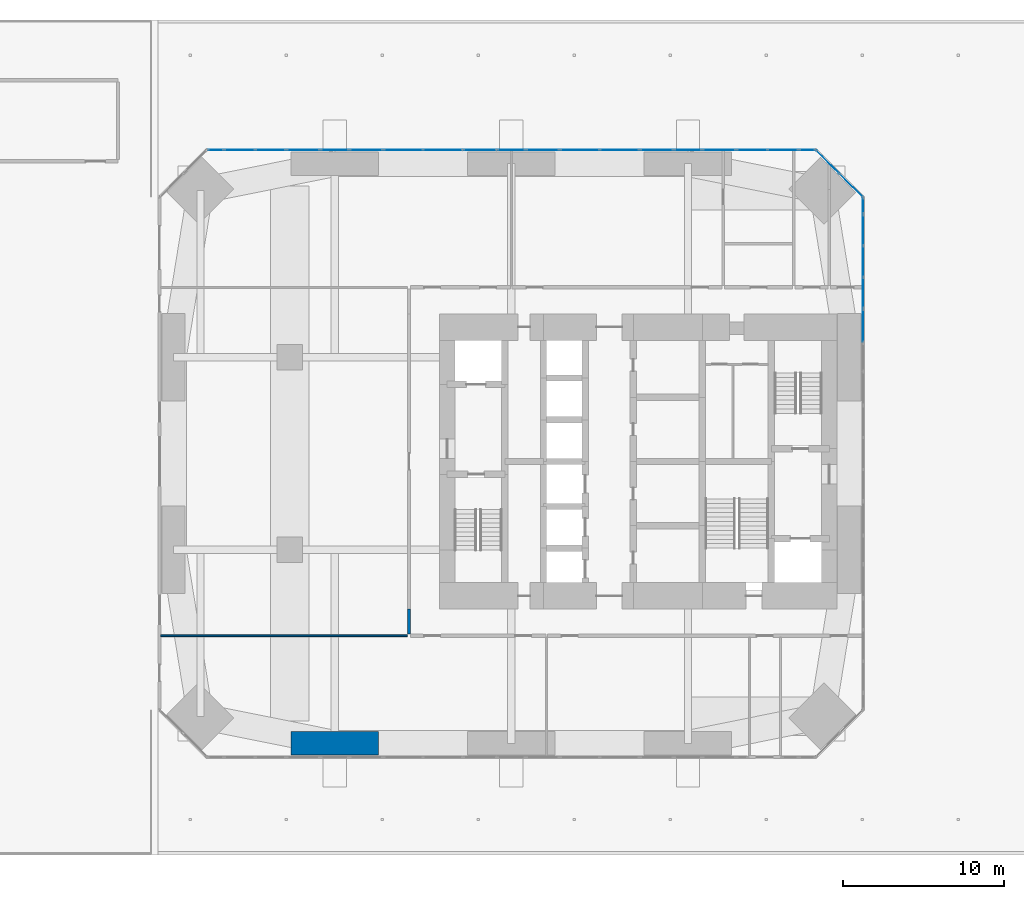
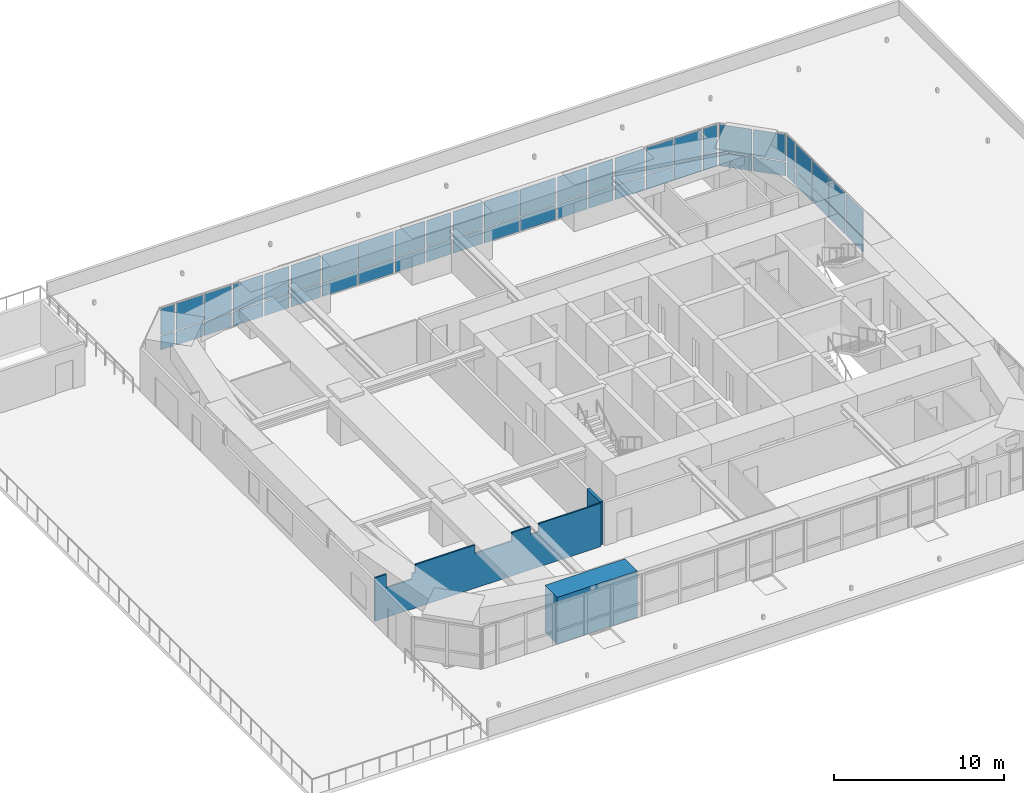
# One storey, part 12 of 20: 52 plates, 3 walls, 19 elements without a shape of their own.
"""IFC4 building model written with IfcOpenShell, lengths in metres."""

from ifc_helpers import new_model, si_unit, direction, frame, frame_2d, origin, origin_2d, place, context, subcontext, project, spatial, polyline, rectangle, outline, extrude, material, layer, layer_set, constituent, constituent_set, type_object, element, aggregate, save


model = new_model("IFC4")

# Units and contexts
model_context = context("Model", 3, precision=1e-05, world=origin(), true_north=direction((0.0, 1.0)))
body_context = subcontext(model_context, "Body", "Model", "MODEL_VIEW")
ifc_project = project(units=[si_unit("LENGTHUNIT", "METRE"), si_unit("AREAUNIT", "SQUARE_METRE"), si_unit("VOLUMEUNIT", "CUBIC_METRE"), si_unit("PLANEANGLEUNIT", "RADIAN"), si_unit("MASSUNIT", "GRAM", prefix="KILO")], contexts=[model_context])

# Site, building, storey
site_placement = place(None, origin())
site = spatial("IfcSite", under=ifc_project, at=site_placement, CompositionType="ELEMENT")
building_placement = place(site_placement, origin())
building = spatial("IfcBuilding", under=site, at=building_placement, Name="Jalousie Tower", CompositionType="ELEMENT")
storey_placement = place(building_placement, frame((0.0, 0.0, 21.0)))
storey = spatial("IfcBuildingStorey", under=building, at=storey_placement, Name="L04", CompositionType="ELEMENT", Elevation=21.0)

# Curtain wall, plates
ifc_material_1 = material(Name="Aluminium curtain wall", Category="aluminium")
curtain_wall_type_1 = type_object("IfcCurtainWallType", Name="AMENITY SPANDREL WALL", PredefinedType="USERDEFINED", material=ifc_material_1)
curtain_wall_1_placement = place(storey_placement, origin())
curtain_wall_1 = element("IfcCurtainWall", 1, at=curtain_wall_1_placement, inside=storey, type_object=curtain_wall_type_1, Name="Amenity Spandrel Wall L04 29", ObjectType="AMENITY SPANDREL WALL", PredefinedType="USERDEFINED")
ifc_material_2 = material(Name="Laminated impact-rated spandrel glass", Category="glass")
ifc_layer_1 = layer(ifc_material_2, 0.031982421875)
ifc_layer_set_1 = layer_set([ifc_layer_1], Name="Laminated impact-rated spandrel glass")
plate_type_1 = type_object("IfcPlateType", Name="AMENITY SPANDREL WALL PANEL", PredefinedType="CURTAIN_PANEL", material=ifc_layer_set_1)
plate_1_placement = place(storey_placement, frame((45.91259765625, 26.954833984375, 0.06494140625), z_axis=(0.0, 0.0, 1.0), x_axis=(0.0, 1.0, 0.0)))
plate_1 = element("IfcPlate", 2, at=plate_1_placement, type_object=plate_type_1, Name="CW-AS panel 1.1", PredefinedType="CURTAIN_PANEL", context=body_context, shape_type="SweptSolid", body=[
    extrude(rectangle(XDim=1.989501953125, YDim=0.031982421875, at=origin_2d()), origin(), (0.0, 0.0, 1.0), 1.00244140625),
])
plate_2_placement = place(storey_placement, frame((45.91259765625, 26.954833984375, 1.132568359375), z_axis=(0.0, 0.0, 1.0), x_axis=(0.0, 1.0, 0.0)))
plate_2 = element("IfcPlate", 3, at=plate_2_placement, type_object=plate_type_1, Name="CW-AS panel 1.2", PredefinedType="CURTAIN_PANEL", context=body_context, shape_type="SweptSolid", body=[
    extrude(rectangle(XDim=1.989501953125, YDim=0.031982421875, at=origin_2d()), origin(), (0.0, 0.0, 1.0), 1.91259765625),
])
aggregate(curtain_wall_1, [plate_1, plate_2])

curtain_wall_2_placement = place(storey_placement, origin())
curtain_wall_2 = element("IfcCurtainWall", 4, at=curtain_wall_2_placement, inside=storey, type_object=curtain_wall_type_1, Name="Amenity Spandrel Wall L04 31", ObjectType="AMENITY SPANDREL WALL", PredefinedType="USERDEFINED")
plate_3_placement = place(storey_placement, frame((45.91259765625, 34.421875, 0.06494140625), z_axis=(0.0, 0.0, 1.0), x_axis=(0.0, 1.0, 0.0)))
plate_3 = element("IfcPlate", 5, at=plate_3_placement, type_object=plate_type_1, Name="CW-AS panel 1.1", PredefinedType="CURTAIN_PANEL", context=body_context, shape_type="SweptSolid", body=[
    extrude(rectangle(XDim=0.923583984375, YDim=0.031982421875, at=origin_2d()), origin(), (0.0, 0.0, 1.0), 1.00244140625),
])
plate_4_placement = place(storey_placement, frame((45.91259765625, 34.421875, 1.132568359375), z_axis=(0.0, 0.0, 1.0), x_axis=(0.0, 1.0, 0.0)))
plate_4 = element("IfcPlate", 6, at=plate_4_placement, type_object=plate_type_1, Name="CW-AS panel 1.2", PredefinedType="CURTAIN_PANEL", context=body_context, shape_type="SweptSolid", body=[
    extrude(rectangle(XDim=0.923583984375, YDim=0.031982421875, at=origin_2d()), origin(), (0.0, 0.0, 1.0), 1.91259765625),
])
aggregate(curtain_wall_2, [plate_3, plate_4])

curtain_wall_3_placement = place(storey_placement, origin())
curtain_wall_3 = element("IfcCurtainWall", 7, at=curtain_wall_3_placement, inside=storey, type_object=curtain_wall_type_1, Name="Amenity Spandrel Wall L04 4", ObjectType="AMENITY SPANDREL WALL", PredefinedType="USERDEFINED")
plate_5_placement = place(storey_placement, frame((45.16015625, 35.701171875, 0.06494140625), z_axis=(0.0, 0.0, 1.0), x_axis=(-0.707106781187, 0.707106781187, 0.0)))
plate_5 = element("IfcPlate", 8, at=plate_5_placement, type_object=plate_type_1, Name="CW-AS panel 1.1", PredefinedType="CURTAIN_PANEL", context=body_context, shape_type="SweptSolid", body=[
    extrude(rectangle(XDim=1.998291015625, YDim=0.031982421875, at=origin_2d()), origin(), (0.0, 0.0, 1.0), 1.00244140625),
])
plate_6_placement = place(storey_placement, frame((45.16015625, 35.701171875, 1.132568359375), z_axis=(0.0, 0.0, 1.0), x_axis=(-0.707106781187, 0.707106781187, 0.0)))
plate_6 = element("IfcPlate", 9, at=plate_6_placement, type_object=plate_type_1, Name="CW-AS panel 1.2", PredefinedType="CURTAIN_PANEL", context=body_context, shape_type="SweptSolid", body=[
    extrude(rectangle(XDim=1.998291015625, YDim=0.031982421875, at=origin_2d()), origin(), (0.0, 0.0, 1.0), 1.91259765625),
])
plate_7_placement = place(storey_placement, frame((43.701171875, 37.16015625, 0.06494140625), z_axis=(0.0, 0.0, 1.0), x_axis=(-0.707106781187, 0.707106781187, 0.0)))
plate_7 = element("IfcPlate", 10, at=plate_7_placement, type_object=plate_type_1, Name="CW-AS panel 2.1", PredefinedType="CURTAIN_PANEL", context=body_context, shape_type="SweptSolid", body=[
    extrude(rectangle(XDim=1.998291015625, YDim=0.031982421875, at=origin_2d()), origin(), (0.0, 0.0, 1.0), 1.00244140625),
])
plate_8_placement = place(storey_placement, frame((43.701171875, 37.16015625, 1.132568359375), z_axis=(0.0, 0.0, 1.0), x_axis=(-0.707106781187, 0.707106781187, 0.0)))
plate_8 = element("IfcPlate", 11, at=plate_8_placement, type_object=plate_type_1, Name="CW-AS panel 2.2", PredefinedType="CURTAIN_PANEL", context=body_context, shape_type="SweptSolid", body=[
    extrude(rectangle(XDim=1.998291015625, YDim=0.031982421875, at=origin_2d()), origin(), (0.0, 0.0, 1.0), 1.91259765625),
])
aggregate(curtain_wall_3, [plate_5, plate_6, plate_7, plate_8])

curtain_wall_4_placement = place(storey_placement, origin())
curtain_wall_4 = element("IfcCurtainWall", 12, at=curtain_wall_4_placement, inside=storey, type_object=curtain_wall_type_1, Name="Amenity Spandrel Wall L04 41", ObjectType="AMENITY SPANDREL WALL", PredefinedType="USERDEFINED")
plate_9_placement = place(storey_placement, frame((42.421875, 37.91259765625, 0.06494140625), z_axis=(0.0, 0.0, 1.0), x_axis=(-1.0, 0.0, 0.0)))
plate_9 = element("IfcPlate", 13, at=plate_9_placement, type_object=plate_type_1, Name="CW-AS panel 1.1", PredefinedType="CURTAIN_PANEL", context=body_context, shape_type="SweptSolid", body=[
    extrude(rectangle(XDim=0.923583984375, YDim=0.031982421875, at=origin_2d()), origin(), (0.0, 0.0, 1.0), 1.00244140625),
])
plate_10_placement = place(storey_placement, frame((42.421875, 37.91259765625, 1.132568359375), z_axis=(0.0, 0.0, 1.0), x_axis=(-1.0, 0.0, 0.0)))
plate_10 = element("IfcPlate", 14, at=plate_10_placement, type_object=plate_type_1, Name="CW-AS panel 1.2", PredefinedType="CURTAIN_PANEL", context=body_context, shape_type="SweptSolid", body=[
    extrude(rectangle(XDim=0.923583984375, YDim=0.031982421875, at=origin_2d()), origin(), (0.0, 0.0, 1.0), 1.91259765625),
])
aggregate(curtain_wall_4, [plate_9, plate_10])

curtain_wall_5_placement = place(storey_placement, origin())
curtain_wall_5 = element("IfcCurtainWall", 15, at=curtain_wall_5_placement, inside=storey, type_object=curtain_wall_type_1, Name="Amenity Spandrel Wall L04 43", ObjectType="AMENITY SPANDREL WALL", PredefinedType="USERDEFINED")
plate_11_placement = place(storey_placement, frame((36.954833984375, 37.91259765625, 0.06494140625), z_axis=(0.0, 0.0, 1.0), x_axis=(-1.0, 0.0, 0.0)))
plate_11 = element("IfcPlate", 16, at=plate_11_placement, type_object=plate_type_1, Name="CW-AS panel 1.1", PredefinedType="CURTAIN_PANEL", context=body_context, shape_type="SweptSolid", body=[
    extrude(rectangle(XDim=1.989501953125, YDim=0.031982421875, at=origin_2d()), origin(), (0.0, 0.0, 1.0), 1.00244140625),
])
plate_12_placement = place(storey_placement, frame((36.954833984375, 37.91259765625, 1.132568359375), z_axis=(0.0, 0.0, 1.0), x_axis=(-1.0, 0.0, 0.0)))
plate_12 = element("IfcPlate", 17, at=plate_12_placement, type_object=plate_type_1, Name="CW-AS panel 1.2", PredefinedType="CURTAIN_PANEL", context=body_context, shape_type="SweptSolid", body=[
    extrude(rectangle(XDim=1.989501953125, YDim=0.031982421875, at=origin_2d()), origin(), (0.0, 0.0, 1.0), 1.91259765625),
])
aggregate(curtain_wall_5, [plate_11, plate_12])

curtain_wall_6_placement = place(storey_placement, origin())
curtain_wall_6 = element("IfcCurtainWall", 18, at=curtain_wall_6_placement, inside=storey, type_object=curtain_wall_type_1, Name="Amenity Spandrel Wall L04 45", ObjectType="AMENITY SPANDREL WALL", PredefinedType="USERDEFINED")
plate_13_placement = place(storey_placement, frame((33.045166015625, 37.91259765625, 0.06494140625), z_axis=(0.0, 0.0, 1.0), x_axis=(-1.0, 0.0, 0.0)))
plate_13 = element("IfcPlate", 19, at=plate_13_placement, type_object=plate_type_1, Name="CW-AS panel 1.1", PredefinedType="CURTAIN_PANEL", context=body_context, shape_type="SweptSolid", body=[
    extrude(rectangle(XDim=1.989501953125, YDim=0.031982421875, at=origin_2d()), origin(), (0.0, 0.0, 1.0), 1.00244140625),
])
plate_14_placement = place(storey_placement, frame((33.045166015625, 37.91259765625, 1.132568359375), z_axis=(0.0, 0.0, 1.0), x_axis=(-1.0, 0.0, 0.0)))
plate_14 = element("IfcPlate", 20, at=plate_14_placement, type_object=plate_type_1, Name="CW-AS panel 1.2", PredefinedType="CURTAIN_PANEL", context=body_context, shape_type="SweptSolid", body=[
    extrude(rectangle(XDim=1.989501953125, YDim=0.031982421875, at=origin_2d()), origin(), (0.0, 0.0, 1.0), 1.91259765625),
])
aggregate(curtain_wall_6, [plate_13, plate_14])

curtain_wall_7_placement = place(storey_placement, origin())
curtain_wall_7 = element("IfcCurtainWall", 21, at=curtain_wall_7_placement, inside=storey, type_object=curtain_wall_type_1, Name="Amenity Spandrel Wall L04 47", ObjectType="AMENITY SPANDREL WALL", PredefinedType="USERDEFINED")
plate_15_placement = place(storey_placement, frame((25.954833984375, 37.91259765625, 0.06494140625), z_axis=(0.0, 0.0, 1.0), x_axis=(-1.0, 0.0, 0.0)))
plate_15 = element("IfcPlate", 22, at=plate_15_placement, type_object=plate_type_1, Name="CW-AS panel 1.1", PredefinedType="CURTAIN_PANEL", context=body_context, shape_type="SweptSolid", body=[
    extrude(rectangle(XDim=1.989501953125, YDim=0.031982421875, at=origin_2d()), origin(), (0.0, 0.0, 1.0), 1.00244140625),
])
plate_16_placement = place(storey_placement, frame((25.954833984375, 37.91259765625, 1.132568359375), z_axis=(0.0, 0.0, 1.0), x_axis=(-1.0, 0.0, 0.0)))
plate_16 = element("IfcPlate", 23, at=plate_16_placement, type_object=plate_type_1, Name="CW-AS panel 1.2", PredefinedType="CURTAIN_PANEL", context=body_context, shape_type="SweptSolid", body=[
    extrude(rectangle(XDim=1.989501953125, YDim=0.031982421875, at=origin_2d()), origin(), (0.0, 0.0, 1.0), 1.91259765625),
])
aggregate(curtain_wall_7, [plate_15, plate_16])

curtain_wall_8_placement = place(storey_placement, origin())
curtain_wall_8 = element("IfcCurtainWall", 24, at=curtain_wall_8_placement, inside=storey, type_object=curtain_wall_type_1, Name="Amenity Spandrel Wall L04 49", ObjectType="AMENITY SPANDREL WALL", PredefinedType="USERDEFINED")
plate_17_placement = place(storey_placement, frame((22.045166015625, 37.91259765625, 0.06494140625), z_axis=(0.0, 0.0, 1.0), x_axis=(-1.0, 0.0, 0.0)))
plate_17 = element("IfcPlate", 25, at=plate_17_placement, type_object=plate_type_1, Name="CW-AS panel 1.1", PredefinedType="CURTAIN_PANEL", context=body_context, shape_type="SweptSolid", body=[
    extrude(rectangle(XDim=1.989501953125, YDim=0.031982421875, at=origin_2d()), origin(), (0.0, 0.0, 1.0), 1.00244140625),
])
plate_18_placement = place(storey_placement, frame((22.045166015625, 37.91259765625, 1.132568359375), z_axis=(0.0, 0.0, 1.0), x_axis=(-1.0, 0.0, 0.0)))
plate_18 = element("IfcPlate", 26, at=plate_18_placement, type_object=plate_type_1, Name="CW-AS panel 1.2", PredefinedType="CURTAIN_PANEL", context=body_context, shape_type="SweptSolid", body=[
    extrude(rectangle(XDim=1.989501953125, YDim=0.031982421875, at=origin_2d()), origin(), (0.0, 0.0, 1.0), 1.91259765625),
])
aggregate(curtain_wall_8, [plate_17, plate_18])

curtain_wall_9_placement = place(storey_placement, origin())
curtain_wall_9 = element("IfcCurtainWall", 27, at=curtain_wall_9_placement, inside=storey, type_object=curtain_wall_type_1, Name="Amenity Spandrel Wall L04 51", ObjectType="AMENITY SPANDREL WALL", PredefinedType="USERDEFINED")
plate_19_placement = place(storey_placement, frame((14.954833984375, 37.91259765625, 0.06494140625), z_axis=(0.0, 0.0, 1.0), x_axis=(-1.0, 0.0, 0.0)))
plate_19 = element("IfcPlate", 28, at=plate_19_placement, type_object=plate_type_1, Name="CW-AS panel 1.1", PredefinedType="CURTAIN_PANEL", context=body_context, shape_type="SweptSolid", body=[
    extrude(rectangle(XDim=1.989501953125, YDim=0.031982421875, at=origin_2d()), origin(), (0.0, 0.0, 1.0), 1.00244140625),
])
plate_20_placement = place(storey_placement, frame((14.954833984375, 37.91259765625, 1.132568359375), z_axis=(0.0, 0.0, 1.0), x_axis=(-1.0, 0.0, 0.0)))
plate_20 = element("IfcPlate", 29, at=plate_20_placement, type_object=plate_type_1, Name="CW-AS panel 1.2", PredefinedType="CURTAIN_PANEL", context=body_context, shape_type="SweptSolid", body=[
    extrude(rectangle(XDim=1.989501953125, YDim=0.031982421875, at=origin_2d()), origin(), (0.0, 0.0, 1.0), 1.91259765625),
])
aggregate(curtain_wall_9, [plate_19, plate_20])

curtain_wall_10_placement = place(storey_placement, origin())
curtain_wall_10 = element("IfcCurtainWall", 30, at=curtain_wall_10_placement, inside=storey, type_object=curtain_wall_type_1, Name="Amenity Spandrel Wall L04 53", ObjectType="AMENITY SPANDREL WALL", PredefinedType="USERDEFINED")
plate_21_placement = place(storey_placement, frame((11.045166015625, 37.91259765625, 0.06494140625), z_axis=(0.0, 0.0, 1.0), x_axis=(-1.0, 0.0, 0.0)))
plate_21 = element("IfcPlate", 31, at=plate_21_placement, type_object=plate_type_1, Name="CW-AS panel 1.1", PredefinedType="CURTAIN_PANEL", context=body_context, shape_type="SweptSolid", body=[
    extrude(rectangle(XDim=1.989501953125, YDim=0.031982421875, at=origin_2d()), origin(), (0.0, 0.0, 1.0), 1.00244140625),
])
plate_22_placement = place(storey_placement, frame((11.045166015625, 37.91259765625, 1.132568359375), z_axis=(0.0, 0.0, 1.0), x_axis=(-1.0, 0.0, 0.0)))
plate_22 = element("IfcPlate", 32, at=plate_22_placement, type_object=plate_type_1, Name="CW-AS panel 1.2", PredefinedType="CURTAIN_PANEL", context=body_context, shape_type="SweptSolid", body=[
    extrude(rectangle(XDim=1.989501953125, YDim=0.031982421875, at=origin_2d()), origin(), (0.0, 0.0, 1.0), 1.91259765625),
])
aggregate(curtain_wall_10, [plate_21, plate_22])

curtain_wall_11_placement = place(storey_placement, origin())
curtain_wall_11 = element("IfcCurtainWall", 33, at=curtain_wall_11_placement, inside=storey, type_object=curtain_wall_type_1, Name="Amenity Spandrel Wall L04 55", ObjectType="AMENITY SPANDREL WALL", PredefinedType="USERDEFINED")
plate_23_placement = place(storey_placement, frame((5.578125, 37.91259765625, 0.06494140625), z_axis=(0.0, 0.0, 1.0), x_axis=(-1.0, 0.0, 0.0)))
plate_23 = element("IfcPlate", 34, at=plate_23_placement, type_object=plate_type_1, Name="CW-AS panel 1.1", PredefinedType="CURTAIN_PANEL", context=body_context, shape_type="SweptSolid", body=[
    extrude(rectangle(XDim=0.923583984375, YDim=0.031982421875, at=origin_2d()), origin(), (0.0, 0.0, 1.0), 1.00244140625),
])
plate_24_placement = place(storey_placement, frame((5.578125, 37.91259765625, 1.132568359375), z_axis=(0.0, 0.0, 1.0), x_axis=(-1.0, 0.0, 0.0)))
plate_24 = element("IfcPlate", 35, at=plate_24_placement, type_object=plate_type_1, Name="CW-AS panel 1.2", PredefinedType="CURTAIN_PANEL", context=body_context, shape_type="SweptSolid", body=[
    extrude(rectangle(XDim=0.923583984375, YDim=0.031982421875, at=origin_2d()), origin(), (0.0, 0.0, 1.0), 1.91259765625),
])
aggregate(curtain_wall_11, [plate_23, plate_24])

ifc_material_3 = material(Name="Aluminium curtain wall", Category="aluminium")
curtain_wall_type_2 = type_object("IfcCurtainWallType", Name="AMENITY WINDOW WALL", PredefinedType="USERDEFINED", material=ifc_material_3)
curtain_wall_12_placement = place(storey_placement, origin())
curtain_wall_12 = element("IfcCurtainWall", 36, at=curtain_wall_12_placement, inside=storey, type_object=curtain_wall_type_2, Name="Amenity Window Wall L04 30", ObjectType="AMENITY WINDOW WALL", PredefinedType="USERDEFINED")
ifc_material_4 = material(Name="Laminated impact-rated glass", Category="glass")
ifc_layer_2 = layer(ifc_material_4, 0.031982421875)
ifc_layer_set_2 = layer_set([ifc_layer_2], Name="Laminated impact-rated glass")
plate_type_2 = type_object("IfcPlateType", Name="AMENITY WINDOW WALL PANEL", PredefinedType="CURTAIN_PANEL", material=ifc_layer_set_2)
plate_25_placement = place(storey_placement, frame((45.91259765625, 29.0107421875, 0.06494140625), z_axis=(0.0, 0.0, 1.0), x_axis=(0.0, 1.0, 0.0)))
plate_25 = element("IfcPlate", 37, at=plate_25_placement, type_object=plate_type_2, Name="CW-A panel 1.1", PredefinedType="CURTAIN_PANEL", context=body_context, shape_type="SweptSolid", body=[
    extrude(rectangle(XDim=1.86279296875, YDim=0.031982421875, at=origin_2d()), origin(), (0.0, 0.0, 1.0), 1.00244140625),
])
plate_26_placement = place(storey_placement, frame((45.91259765625, 29.0107421875, 1.132568359375), z_axis=(0.0, 0.0, 1.0), x_axis=(0.0, 1.0, 0.0)))
plate_26 = element("IfcPlate", 38, at=plate_26_placement, type_object=plate_type_2, Name="CW-A panel 1.2", PredefinedType="CURTAIN_PANEL", context=body_context, shape_type="SweptSolid", body=[
    extrude(rectangle(XDim=1.86279296875, YDim=0.031982421875, at=origin_2d()), origin(), (0.0, 0.0, 1.0), 1.91259765625),
])
plate_27_placement = place(storey_placement, frame((45.91259765625, 30.954833984375, 0.06494140625), z_axis=(0.0, 0.0, 1.0), x_axis=(0.0, 1.0, 0.0)))
plate_27 = element("IfcPlate", 39, at=plate_27_placement, type_object=plate_type_2, Name="CW-A panel 2.1", PredefinedType="CURTAIN_PANEL", context=body_context, shape_type="SweptSolid", body=[
    extrude(rectangle(XDim=1.895263671875, YDim=0.031982421875, at=origin_2d()), origin(), (0.0, 0.0, 1.0), 1.00244140625),
])
plate_28_placement = place(storey_placement, frame((45.91259765625, 30.954833984375, 1.132568359375), z_axis=(0.0, 0.0, 1.0), x_axis=(0.0, 1.0, 0.0)))
plate_28 = element("IfcPlate", 40, at=plate_28_placement, type_object=plate_type_2, Name="CW-A panel 2.2", PredefinedType="CURTAIN_PANEL", context=body_context, shape_type="SweptSolid", body=[
    extrude(rectangle(XDim=1.895263671875, YDim=0.031982421875, at=origin_2d()), origin(), (0.0, 0.0, 1.0), 1.91259765625),
])
plate_29_placement = place(storey_placement, frame((45.91259765625, 32.898681640625, 0.06494140625), z_axis=(0.0, 0.0, 1.0), x_axis=(0.0, 1.0, 0.0)))
plate_29 = element("IfcPlate", 41, at=plate_29_placement, type_object=plate_type_2, Name="CW-A panel 3.1", PredefinedType="CURTAIN_PANEL", context=body_context, shape_type="SweptSolid", body=[
    extrude(rectangle(XDim=1.86279296875, YDim=0.031982421875, at=origin_2d()), origin(), (0.0, 0.0, 1.0), 1.00244140625),
])
plate_30_placement = place(storey_placement, frame((45.91259765625, 32.898681640625, 1.132568359375), z_axis=(0.0, 0.0, 1.0), x_axis=(0.0, 1.0, 0.0)))
plate_30 = element("IfcPlate", 42, at=plate_30_placement, type_object=plate_type_2, Name="CW-A panel 3.2", PredefinedType="CURTAIN_PANEL", context=body_context, shape_type="SweptSolid", body=[
    extrude(rectangle(XDim=1.86279296875, YDim=0.031982421875, at=origin_2d()), origin(), (0.0, 0.0, 1.0), 1.91259765625),
])
aggregate(curtain_wall_12, [plate_25, plate_26, plate_27, plate_28, plate_29, plate_30])

curtain_wall_13_placement = place(storey_placement, origin())
curtain_wall_13 = element("IfcCurtainWall", 43, at=curtain_wall_13_placement, inside=storey, type_object=curtain_wall_type_2, Name="Amenity Window Wall L04 42", ObjectType="AMENITY WINDOW WALL", PredefinedType="USERDEFINED")
plate_31_placement = place(storey_placement, frame((40.90869140625, 37.91259765625, 0.06494140625), z_axis=(0.0, 0.0, 1.0), x_axis=(-1.0, 0.0, 0.0)))
plate_31 = element("IfcPlate", 44, at=plate_31_placement, type_object=plate_type_2, Name="CW-A panel 1.1", PredefinedType="CURTAIN_PANEL", context=body_context, shape_type="SweptSolid", body=[
    extrude(rectangle(XDim=1.8427734375, YDim=0.031982421875, at=origin_2d()), origin(), (0.0, 0.0, 1.0), 1.00244140625),
])
plate_32_placement = place(storey_placement, frame((40.90869140625, 37.91259765625, 1.132568359375), z_axis=(0.0, 0.0, 1.0), x_axis=(-1.0, 0.0, 0.0)))
plate_32 = element("IfcPlate", 45, at=plate_32_placement, type_object=plate_type_2, Name="CW-A panel 1.2", PredefinedType="CURTAIN_PANEL", context=body_context, shape_type="SweptSolid", body=[
    extrude(rectangle(XDim=1.8427734375, YDim=0.031982421875, at=origin_2d()), origin(), (0.0, 0.0, 1.0), 1.91259765625),
])
plate_33_placement = place(storey_placement, frame((39.0009765625, 37.91259765625, 0.06494140625), z_axis=(0.0, 0.0, 1.0), x_axis=(-1.0, 0.0, 0.0)))
plate_33 = element("IfcPlate", 46, at=plate_33_placement, type_object=plate_type_2, Name="CW-A panel 2.1", PredefinedType="CURTAIN_PANEL", context=body_context, shape_type="SweptSolid", body=[
    extrude(rectangle(XDim=1.8427734375, YDim=0.031982421875, at=origin_2d()), origin(), (0.0, 0.0, 1.0), 1.00244140625),
])
plate_34_placement = place(storey_placement, frame((39.0009765625, 37.91259765625, 1.132568359375), z_axis=(0.0, 0.0, 1.0), x_axis=(-1.0, 0.0, 0.0)))
plate_34 = element("IfcPlate", 47, at=plate_34_placement, type_object=plate_type_2, Name="CW-A panel 2.2", PredefinedType="CURTAIN_PANEL", context=body_context, shape_type="SweptSolid", body=[
    extrude(rectangle(XDim=1.8427734375, YDim=0.031982421875, at=origin_2d()), origin(), (0.0, 0.0, 1.0), 1.91259765625),
])
aggregate(curtain_wall_13, [plate_31, plate_32, plate_33, plate_34])

curtain_wall_14_placement = place(storey_placement, origin())
curtain_wall_14 = element("IfcCurtainWall", 48, at=curtain_wall_14_placement, inside=storey, type_object=curtain_wall_type_2, Name="Amenity Window Wall L04 44", ObjectType="AMENITY WINDOW WALL", PredefinedType="USERDEFINED")
plate_35_placement = place(storey_placement, frame((35.0, 37.91259765625, 0.06494140625), z_axis=(0.0, 0.0, 1.0), x_axis=(-1.0, 0.0, 0.0)))
plate_35 = element("IfcPlate", 49, at=plate_35_placement, type_object=plate_type_2, Name="CW-A panel 1.1", PredefinedType="CURTAIN_PANEL", context=body_context, shape_type="SweptSolid", body=[
    extrude(rectangle(XDim=1.66015625, YDim=0.031982421875, at=origin_2d()), origin(), (0.0, 0.0, 1.0), 1.00244140625),
])
plate_36_placement = place(storey_placement, frame((35.0, 37.91259765625, 1.132568359375), z_axis=(0.0, 0.0, 1.0), x_axis=(-1.0, 0.0, 0.0)))
plate_36 = element("IfcPlate", 50, at=plate_36_placement, type_object=plate_type_2, Name="CW-A panel 1.2", PredefinedType="CURTAIN_PANEL", context=body_context, shape_type="SweptSolid", body=[
    extrude(rectangle(XDim=1.66015625, YDim=0.031982421875, at=origin_2d()), origin(), (0.0, 0.0, 1.0), 1.91259765625),
])
aggregate(curtain_wall_14, [plate_35, plate_36])

curtain_wall_15_placement = place(storey_placement, origin())
curtain_wall_15 = element("IfcCurtainWall", 51, at=curtain_wall_15_placement, inside=storey, type_object=curtain_wall_type_2, Name="Amenity Window Wall L04 46", ObjectType="AMENITY WINDOW WALL", PredefinedType="USERDEFINED")
plate_37_placement = place(storey_placement, frame((30.7265625, 37.91259765625, 0.06494140625), z_axis=(0.0, 0.0, 1.0), x_axis=(-1.0, 0.0, 0.0)))
plate_37 = element("IfcPlate", 52, at=plate_37_placement, type_object=plate_type_2, Name="CW-A panel 1.1", PredefinedType="CURTAIN_PANEL", context=body_context, shape_type="SweptSolid", body=[
    extrude(rectangle(XDim=2.387939453125, YDim=0.031982421875, at=origin_2d()), origin(), (0.0, 0.0, 1.0), 1.00244140625),
])
plate_38_placement = place(storey_placement, frame((30.7265625, 37.91259765625, 1.132568359375), z_axis=(0.0, 0.0, 1.0), x_axis=(-1.0, 0.0, 0.0)))
plate_38 = element("IfcPlate", 53, at=plate_38_placement, type_object=plate_type_2, Name="CW-A panel 1.2", PredefinedType="CURTAIN_PANEL", context=body_context, shape_type="SweptSolid", body=[
    extrude(rectangle(XDim=2.387939453125, YDim=0.031982421875, at=origin_2d()), origin(), (0.0, 0.0, 1.0), 1.91259765625),
])
plate_39_placement = place(storey_placement, frame((28.2734375, 37.91259765625, 0.06494140625), z_axis=(0.0, 0.0, 1.0), x_axis=(-1.0, 0.0, 0.0)))
plate_39 = element("IfcPlate", 54, at=plate_39_placement, type_object=plate_type_2, Name="CW-A panel 2.1", PredefinedType="CURTAIN_PANEL", context=body_context, shape_type="SweptSolid", body=[
    extrude(rectangle(XDim=2.387939453125, YDim=0.031982421875, at=origin_2d()), origin(), (0.0, 0.0, 1.0), 1.00244140625),
])
plate_40_placement = place(storey_placement, frame((28.2734375, 37.91259765625, 1.132568359375), z_axis=(0.0, 0.0, 1.0), x_axis=(-1.0, 0.0, 0.0)))
plate_40 = element("IfcPlate", 55, at=plate_40_placement, type_object=plate_type_2, Name="CW-A panel 2.2", PredefinedType="CURTAIN_PANEL", context=body_context, shape_type="SweptSolid", body=[
    extrude(rectangle(XDim=2.387939453125, YDim=0.031982421875, at=origin_2d()), origin(), (0.0, 0.0, 1.0), 1.91259765625),
])
aggregate(curtain_wall_15, [plate_37, plate_38, plate_39, plate_40])

curtain_wall_16_placement = place(storey_placement, origin())
curtain_wall_16 = element("IfcCurtainWall", 56, at=curtain_wall_16_placement, inside=storey, type_object=curtain_wall_type_2, Name="Amenity Window Wall L04 48", ObjectType="AMENITY WINDOW WALL", PredefinedType="USERDEFINED")
plate_41_placement = place(storey_placement, frame((24.0, 37.91259765625, 0.06494140625), z_axis=(0.0, 0.0, 1.0), x_axis=(-1.0, 0.0, 0.0)))
plate_41 = element("IfcPlate", 57, at=plate_41_placement, type_object=plate_type_2, Name="CW-A panel 1.1", PredefinedType="CURTAIN_PANEL", context=body_context, shape_type="SweptSolid", body=[
    extrude(rectangle(XDim=1.66015625, YDim=0.031982421875, at=origin_2d()), origin(), (0.0, 0.0, 1.0), 1.00244140625),
])
plate_42_placement = place(storey_placement, frame((24.0, 37.91259765625, 1.132568359375), z_axis=(0.0, 0.0, 1.0), x_axis=(-1.0, 0.0, 0.0)))
plate_42 = element("IfcPlate", 58, at=plate_42_placement, type_object=plate_type_2, Name="CW-A panel 1.2", PredefinedType="CURTAIN_PANEL", context=body_context, shape_type="SweptSolid", body=[
    extrude(rectangle(XDim=1.66015625, YDim=0.031982421875, at=origin_2d()), origin(), (0.0, 0.0, 1.0), 1.91259765625),
])
aggregate(curtain_wall_16, [plate_41, plate_42])

curtain_wall_17_placement = place(storey_placement, origin())
curtain_wall_17 = element("IfcCurtainWall", 59, at=curtain_wall_17_placement, inside=storey, type_object=curtain_wall_type_2, Name="Amenity Window Wall L04 50", ObjectType="AMENITY WINDOW WALL", PredefinedType="USERDEFINED")
plate_43_placement = place(storey_placement, frame((19.7265625, 37.91259765625, 0.06494140625), z_axis=(0.0, 0.0, 1.0), x_axis=(-1.0, 0.0, 0.0)))
plate_43 = element("IfcPlate", 60, at=plate_43_placement, type_object=plate_type_2, Name="CW-A panel 1.1", PredefinedType="CURTAIN_PANEL", context=body_context, shape_type="SweptSolid", body=[
    extrude(rectangle(XDim=2.387939453125, YDim=0.031982421875, at=origin_2d()), origin(), (0.0, 0.0, 1.0), 1.00244140625),
])
plate_44_placement = place(storey_placement, frame((19.7265625, 37.91259765625, 1.132568359375), z_axis=(0.0, 0.0, 1.0), x_axis=(-1.0, 0.0, 0.0)))
plate_44 = element("IfcPlate", 61, at=plate_44_placement, type_object=plate_type_2, Name="CW-A panel 1.2", PredefinedType="CURTAIN_PANEL", context=body_context, shape_type="SweptSolid", body=[
    extrude(rectangle(XDim=2.387939453125, YDim=0.031982421875, at=origin_2d()), origin(), (0.0, 0.0, 1.0), 1.91259765625),
])
plate_45_placement = place(storey_placement, frame((17.2734375, 37.91259765625, 0.06494140625), z_axis=(0.0, 0.0, 1.0), x_axis=(-1.0, 0.0, 0.0)))
plate_45 = element("IfcPlate", 62, at=plate_45_placement, type_object=plate_type_2, Name="CW-A panel 2.1", PredefinedType="CURTAIN_PANEL", context=body_context, shape_type="SweptSolid", body=[
    extrude(rectangle(XDim=2.387939453125, YDim=0.031982421875, at=origin_2d()), origin(), (0.0, 0.0, 1.0), 1.00244140625),
])
plate_46_placement = place(storey_placement, frame((17.2734375, 37.91259765625, 1.132568359375), z_axis=(0.0, 0.0, 1.0), x_axis=(-1.0, 0.0, 0.0)))
plate_46 = element("IfcPlate", 63, at=plate_46_placement, type_object=plate_type_2, Name="CW-A panel 2.2", PredefinedType="CURTAIN_PANEL", context=body_context, shape_type="SweptSolid", body=[
    extrude(rectangle(XDim=2.387939453125, YDim=0.031982421875, at=origin_2d()), origin(), (0.0, 0.0, 1.0), 1.91259765625),
])
aggregate(curtain_wall_17, [plate_43, plate_44, plate_45, plate_46])

curtain_wall_18_placement = place(storey_placement, origin())
curtain_wall_18 = element("IfcCurtainWall", 64, at=curtain_wall_18_placement, inside=storey, type_object=curtain_wall_type_2, Name="Amenity Window Wall L04 52", ObjectType="AMENITY WINDOW WALL", PredefinedType="USERDEFINED")
plate_47_placement = place(storey_placement, frame((13.0, 37.91259765625, 0.06494140625), z_axis=(0.0, 0.0, 1.0), x_axis=(-1.0, 0.0, 0.0)))
plate_47 = element("IfcPlate", 65, at=plate_47_placement, type_object=plate_type_2, Name="CW-A panel 1.1", PredefinedType="CURTAIN_PANEL", context=body_context, shape_type="SweptSolid", body=[
    extrude(rectangle(XDim=1.66015625, YDim=0.031982421875, at=origin_2d()), origin(), (0.0, 0.0, 1.0), 1.00244140625),
])
plate_48_placement = place(storey_placement, frame((13.0, 37.91259765625, 1.132568359375), z_axis=(0.0, 0.0, 1.0), x_axis=(-1.0, 0.0, 0.0)))
plate_48 = element("IfcPlate", 66, at=plate_48_placement, type_object=plate_type_2, Name="CW-A panel 1.2", PredefinedType="CURTAIN_PANEL", context=body_context, shape_type="SweptSolid", body=[
    extrude(rectangle(XDim=1.66015625, YDim=0.031982421875, at=origin_2d()), origin(), (0.0, 0.0, 1.0), 1.91259765625),
])
aggregate(curtain_wall_18, [plate_47, plate_48])

curtain_wall_19_placement = place(storey_placement, origin())
curtain_wall_19 = element("IfcCurtainWall", 67, at=curtain_wall_19_placement, inside=storey, type_object=curtain_wall_type_2, Name="Amenity Window Wall L04 54", ObjectType="AMENITY WINDOW WALL", PredefinedType="USERDEFINED")
plate_49_placement = place(storey_placement, frame((8.9990234375, 37.91259765625, 0.06494140625), z_axis=(0.0, 0.0, 1.0), x_axis=(-1.0, 0.0, 0.0)))
plate_49 = element("IfcPlate", 68, at=plate_49_placement, type_object=plate_type_2, Name="CW-A panel 1.1", PredefinedType="CURTAIN_PANEL", context=body_context, shape_type="SweptSolid", body=[
    extrude(rectangle(XDim=1.8427734375, YDim=0.031982421875, at=origin_2d()), origin(), (0.0, 0.0, 1.0), 1.00244140625),
])
plate_50_placement = place(storey_placement, frame((8.9990234375, 37.91259765625, 1.132568359375), z_axis=(0.0, 0.0, 1.0), x_axis=(-1.0, 0.0, 0.0)))
plate_50 = element("IfcPlate", 69, at=plate_50_placement, type_object=plate_type_2, Name="CW-A panel 1.2", PredefinedType="CURTAIN_PANEL", context=body_context, shape_type="SweptSolid", body=[
    extrude(rectangle(XDim=1.8427734375, YDim=0.031982421875, at=origin_2d()), origin(), (0.0, 0.0, 1.0), 1.91259765625),
])
plate_51_placement = place(storey_placement, frame((7.09130859375, 37.91259765625, 0.06494140625), z_axis=(0.0, 0.0, 1.0), x_axis=(-1.0, 0.0, 0.0)))
plate_51 = element("IfcPlate", 70, at=plate_51_placement, type_object=plate_type_2, Name="CW-A panel 2.1", PredefinedType="CURTAIN_PANEL", context=body_context, shape_type="SweptSolid", body=[
    extrude(rectangle(XDim=1.8427734375, YDim=0.031982421875, at=origin_2d()), origin(), (0.0, 0.0, 1.0), 1.00244140625),
])
plate_52_placement = place(storey_placement, frame((7.09130859375, 37.91259765625, 1.132568359375), z_axis=(0.0, 0.0, 1.0), x_axis=(-1.0, 0.0, 0.0)))
plate_52 = element("IfcPlate", 71, at=plate_52_placement, type_object=plate_type_2, Name="CW-A panel 2.2", PredefinedType="CURTAIN_PANEL", context=body_context, shape_type="SweptSolid", body=[
    extrude(rectangle(XDim=1.8427734375, YDim=0.031982421875, at=origin_2d()), origin(), (0.0, 0.0, 1.0), 1.91259765625),
])
aggregate(curtain_wall_19, [plate_49, plate_50, plate_51, plate_52])

# Walls
ifc_material_5 = material(Name="Concrete block ASTM C90", Category="concrete")
ifc_constituent_1 = constituent(ifc_material_5, Name="Body")
ifc_material_6 = material(Name="Render")
ifc_constituent_2 = constituent(ifc_material_6, Name="Finish")
ifc_constituent_set_1 = constituent_set(constituents=[ifc_constituent_1, ifc_constituent_2])
wall_type_1 = type_object("IfcWallType", Name="CORRIDOR WALL 200", PredefinedType="PARTITIONING", material=ifc_constituent_set_1)
wall_1_placement = place(storey_placement, frame((17.625, 7.75, 0.0), z_axis=(0.0, 0.0, 1.0), x_axis=(0.0, 1.0, 0.0)))
element("IfcWall", 72, at=wall_1_placement, inside=storey, type_object=wall_type_1, Name="Corridor Wall 200 L04", PredefinedType="PARTITIONING", context=body_context, shape_type="SweptSolid", body=[
    extrude(rectangle(XDim=1.550048828125, YDim=0.199951171875, at=frame_2d((0.77490234375, 0.0))), origin(), (0.0, 0.0, 1.0), 3.110107421875),
])
ifc_material_7 = material(Name="Gypsum board", Category="gypsum")
ifc_constituent_3 = constituent(ifc_material_7, Name="Body")
ifc_material_8 = material(Name="Light-gauge steel studs ASTM A653 SS Grade 33", Category="steel")
ifc_constituent_4 = constituent(ifc_material_8, Name="Framing")
ifc_constituent_set_2 = constituent_set(constituents=[ifc_constituent_3, ifc_constituent_4])
wall_type_2 = type_object("IfcWallType", Name="PARTITION 100", PredefinedType="PARTITIONING", material=ifc_constituent_set_2)
wall_2_placement = place(storey_placement, frame((2.14990234375, 7.64990234375, 0.0), z_axis=(0.0, 0.0, 1.0), x_axis=(1.0, 0.0, 0.0)))
element("IfcWall", 73, at=wall_2_placement, inside=storey, type_object=wall_type_2, Name="Partition 100 L04", PredefinedType="PARTITIONING", context=body_context, shape_type="SweptSolid", body=[
    extrude(outline(polyline([(0.0, 0.0), (15.375, 0.0), (15.375, 3.110107421875), (11.13720703125, 3.110107421875), (11.13720703125, 2.541015625), (10.5625, 2.541015625), (10.5625, 3.110107421875), (9.31005859375, 3.110107421875), (9.31005859375, 2.510009765625), (6.7900390625, 2.510009765625), (6.7900390625, 3.110107421875), (2.768798828125, 3.110107421875), (2.768798828125, 2.541015625), (2.538818359375, 2.541015625), (2.538818359375, 2.14990234375), (0.79638671875, 2.14990234375), (0.79638671875, 3.110107421875), (0.0, 3.110107421875), (0.0, 0.0)])), frame((0.0, 0.050048828125, 0.0), z_axis=(0.0, -1.0, 0.0), x_axis=(1.0, 0.0, 0.0)), (0.0, 0.0, 1.0), 0.10009765625),
])
ifc_material_9 = material(Name="Concrete f'c 120 MPa", Category="concrete")
ifc_layer_3 = layer(ifc_material_9, 1.449951171875)
ifc_layer_set_3 = layer_set([ifc_layer_3], Name="Concrete f'c 120 MPa")
wall_type_3 = type_object("IfcWallType", Name="RC WALL PIER 1450", PredefinedType="SHEAR", material=ifc_layer_set_3)
wall_3_placement = place(storey_placement, frame((10.27490234375, 0.949951171875, 0.0), z_axis=(0.0, 0.0, 1.0), x_axis=(1.0, 0.0, 0.0)))
element("IfcWall", 74, at=wall_3_placement, inside=storey, type_object=wall_type_3, Name="Wall pier 02 L04", PredefinedType="SHEAR", context=body_context, shape_type="SweptSolid", body=[
    extrude(rectangle(XDim=5.4501953125, YDim=1.449951171875, at=frame_2d((2.72509765625, 0.0))), origin(), (0.0, 0.0, 1.0), 3.35009765625),
])

save(model, "model.ifc")
